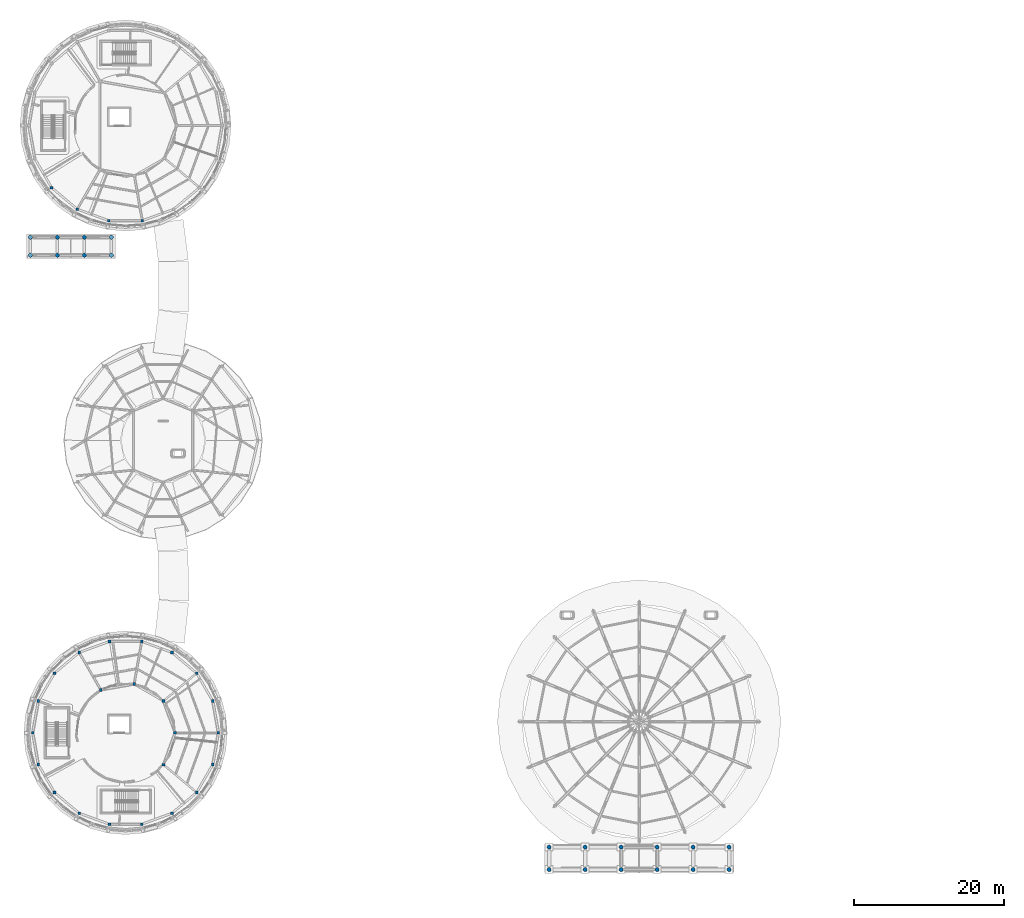
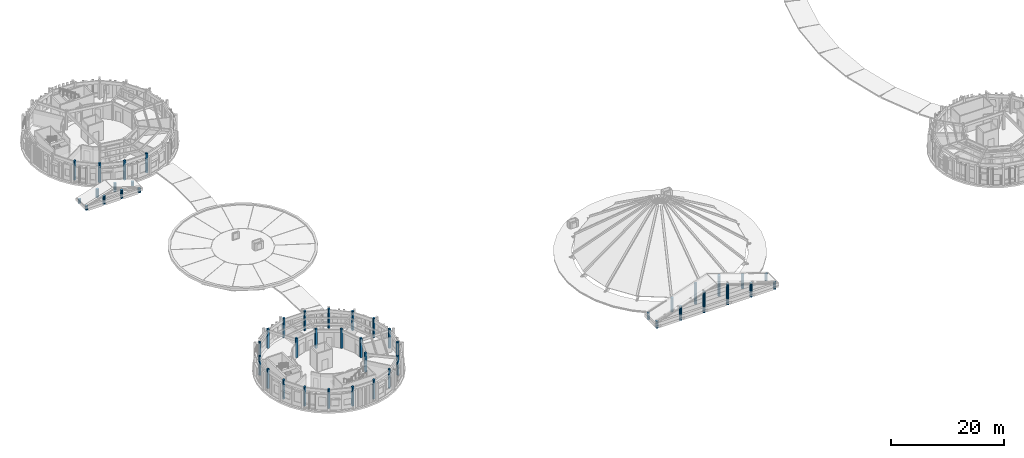
# One storey, part 1 of 58: 47 columns.
"""IFC4 building model written with IfcOpenShell, lengths in metres."""

from ifc_helpers import new_model, si_unit, direction, frame, origin, origin_2d, place, context, subcontext, project, spatial, rectangle, circle, extrude, material, material_profile, profile_set, type_object, element, save


model = new_model("IFC4")

# Units and contexts
model_context = context("Model", 3, precision=1e-05, world=origin(), true_north=direction((0.0, 1.0)))
body_context = subcontext(model_context, "Body", "Model", "MODEL_VIEW")
ifc_project = project(units=[si_unit("LENGTHUNIT", "METRE"), si_unit("AREAUNIT", "SQUARE_METRE"), si_unit("VOLUMEUNIT", "CUBIC_METRE"), si_unit("PLANEANGLEUNIT", "RADIAN"), si_unit("MASSUNIT", "GRAM", prefix="KILO")], contexts=[model_context])

# Site, building, storey
site_placement = place(None, origin())
site = spatial("IfcSite", under=ifc_project, at=site_placement, CompositionType="ELEMENT")
building_placement = place(site_placement, origin())
building = spatial("IfcBuilding", under=site, at=building_placement, Name="Aldenvaro Health Centre", CompositionType="ELEMENT")
storey_placement = place(building_placement, frame((0.0, 0.0, 8.75)))
storey = spatial("IfcBuildingStorey", under=building, at=storey_placement, Name="L02", CompositionType="ELEMENT", Elevation=8.75)

# Columns
ifc_material_1 = material(Name="Glulam GL28h", Category="wood")
ifc_material_profile_1 = material_profile(ifc_material_1, rectangle(XDim=0.364990234375, YDim=0.364990234375, at=origin_2d()), Name="GL 365x365", Category="wood")
ifc_profile_set_1 = profile_set([ifc_material_profile_1], Name="Glulam GL28h")
column_type_1 = type_object("IfcColumnType", Name="COL-GL-365", PredefinedType="COLUMN", material=ifc_profile_set_1)
for number, where, z_axis, x_axis, name in (
    (1, (25.10009765625, 18.5, 0.0), (0.0, 0.0, 1.0), (1.0, 0.0, 0.0), "D5 L02 column IN-01"),
    (2, (23.555908203125, 22.741943359375, 0.0), (0.0, 0.0, 1.0), (1.0, 0.0, 0.0), "D5 L02 column IN-02"),
    (3, (19.64599609375, 25.0, 0.0), (0.0, 0.0, 1.0), (1.0, 0.0, 0.0), "D5 L02 column IN-03"),
    (4, (15.199951171875, 24.216064453125, 0.0), (0.0, 0.0, 1.0), (1.0, 0.0, 0.0), "D5 L02 column IN-04"),
    (5, (23.555908203125, 14.258056640625, 0.0), (0.0, 0.0, 1.0), (1.0, 0.0, 0.0), "D5 L02 column IN-05"),
):
    element("IfcColumn", number, at=place(storey_placement, frame(where, z_axis=z_axis, x_axis=x_axis)), inside=storey, type_object=column_type_1, Name=name, PredefinedType="COLUMN", context=body_context, shape_type="SweptSolid", body=[
        extrude(rectangle(XDim=0.364990234375, YDim=0.364990234375, at=origin_2d()), origin(), (0.0, 0.0, 1.0), 4.199951171875),
    ])
ifc_material_profile_2 = material_profile(ifc_material_1, rectangle(XDim=0.364990234375, YDim=0.364990234375, at=origin_2d()), Name="GL 365x365", Category="wood")
ifc_profile_set_2 = profile_set([ifc_material_profile_2], Name="Glulam GL28h")
column_type_2 = type_object("IfcColumnType", Name="COL-GL-365E", PredefinedType="COLUMN", material=ifc_profile_set_2)
for number, where, z_axis, x_axis, name in (
    (6, (8.633056640625, 91.220947265625, 0.0), (0.0, 0.0, 1.0), (1.0, 0.0, 0.0), "D4 L02 column OUT-12"),
    (7, (12.06005859375, 88.345947265625, 0.0), (0.0, 0.0, 1.0), (1.0, 0.0, 0.0), "D4 L02 column OUT-13"),
    (8, (16.262939453125, 86.81591796875, 0.0), (0.0, 0.0, 1.0), (1.0, 0.0, 0.0), "D4 L02 column OUT-14"),
    (9, (20.737060546875, 86.81591796875, 0.0), (0.0, 0.0, 1.0), (1.0, 0.0, 0.0), "D4 L02 column OUT-15"),
    (10, (30.8798828125, 18.5, 0.0), (0.0, 0.0, 1.0), (1.0, 0.0, 0.0), "D5 L02 column OUT-01"),
    (11, (30.133056640625, 22.73388671875, 0.0), (0.0, 0.0, 1.0), (1.0, 0.0, 0.0), "D5 L02 column OUT-02"),
    (12, (27.98388671875, 26.4580078125, 0.0), (0.0, 0.0, 1.0), (1.0, 0.0, 0.0), "D5 L02 column OUT-03"),
    (13, (24.68994140625, 29.220947265625, 0.0), (0.0, 0.0, 1.0), (1.0, 0.0, 0.0), "D5 L02 column OUT-04"),
    (14, (20.64990234375, 30.69189453125, 0.0), (0.0, 0.0, 1.0), (1.0, 0.0, 0.0), "D5 L02 column OUT-05"),
    (15, (16.35009765625, 30.69189453125, 0.0), (0.0, 0.0, 1.0), (1.0, 0.0, 0.0), "D5 L02 column OUT-06"),
    (16, (12.31005859375, 29.220947265625, 0.0), (0.0, 0.0, 1.0), (1.0, 0.0, 0.0), "D5 L02 column OUT-07"),
    (17, (9.01611328125, 26.4580078125, 0.0), (0.0, 0.0, 1.0), (1.0, 0.0, 0.0), "D5 L02 column OUT-08"),
    (18, (6.866943359375, 22.73388671875, 0.0), (0.0, 0.0, 1.0), (1.0, 0.0, 0.0), "D5 L02 column OUT-09"),
    (19, (6.1201171875, 18.5, 0.0), (0.0, 0.0, 1.0), (1.0, 0.0, 0.0), "D5 L02 column OUT-10"),
    (20, (6.866943359375, 14.26611328125, 0.0), (0.0, 0.0, 1.0), (1.0, 0.0, 0.0), "D5 L02 column OUT-11"),
    (21, (9.01611328125, 10.5419921875, 0.0), (0.0, 0.0, 1.0), (1.0, 0.0, 0.0), "D5 L02 column OUT-12"),
    (22, (12.31005859375, 7.779052734375, 0.0), (0.0, 0.0, 1.0), (1.0, 0.0, 0.0), "D5 L02 column OUT-13"),
    (23, (16.35009765625, 6.30810546875, 0.0), (0.0, 0.0, 1.0), (1.0, 0.0, 0.0), "D5 L02 column OUT-14"),
    (24, (20.64990234375, 6.30810546875, 0.0), (0.0, 0.0, 1.0), (1.0, 0.0, 0.0), "D5 L02 column OUT-15"),
    (25, (24.68994140625, 7.779052734375, 0.0), (0.0, 0.0, 1.0), (1.0, 0.0, 0.0), "D5 L02 column OUT-16"),
    (26, (27.98388671875, 10.5419921875, 0.0), (0.0, 0.0, 1.0), (1.0, 0.0, 0.0), "D5 L02 column OUT-17"),
    (27, (30.133056640625, 14.26611328125, 0.0), (0.0, 0.0, 1.0), (1.0, 0.0, 0.0), "D5 L02 column OUT-18"),
):
    element("IfcColumn", number, at=place(storey_placement, frame(where, z_axis=z_axis, x_axis=x_axis)), inside=storey, type_object=column_type_2, Name=name, PredefinedType="COLUMN", context=body_context, shape_type="SweptSolid", body=[
        extrude(rectangle(XDim=0.364990234375, YDim=0.364990234375, at=origin_2d()), origin(), (0.0, 0.0, 1.0), 4.199951171875),
    ])
ifc_material_2 = material(Name="Concrete f'c 40 MPa", Category="concrete")
ifc_material_profile_3 = material_profile(ifc_material_2, circle(Radius=0.27490234375, at=origin_2d()), Name="RC D550", Category="concrete")
ifc_profile_set_3 = profile_set([ifc_material_profile_3], Name="Concrete f'c 40 MPa")
column_type_3 = type_object("IfcColumnType", Name="COL-RC-D550", PredefinedType="PILASTER", material=ifc_profile_set_3)
for number, where, z_axis, x_axis, name in (
    (28, (75.0, 0.25, 0.0), (0.0, 0.0, 1.0), (1.0, 0.0, 0.0), "Portico Tympanum Support Post 1.1"),
    (29, (75.0, 3.25, 0.0), (0.0, 0.0, 1.0), (1.0, 0.0, 0.0), "Portico Tympanum Support Post 1.2"),
):
    element("IfcColumn", number, at=place(storey_placement, frame(where, z_axis=z_axis, x_axis=x_axis)), inside=storey, type_object=column_type_3, Name=name, PredefinedType="PILASTER", context=body_context, shape_type="SweptSolid", body=[
        extrude(circle(Radius=0.27490234375, at=origin_2d()), origin(), (0.0, 0.0, 1.0), 1.5),
    ])
for number, where, z_axis, x_axis, name in (
    (30, (79.800048828125, 0.25, 0.0), (0.0, 0.0, 1.0), (1.0, 0.0, 0.0), "Portico Tympanum Support Post 2.1"),
    (31, (79.800048828125, 3.25, 0.0), (0.0, 0.0, 1.0), (1.0, 0.0, 0.0), "Portico Tympanum Support Post 2.2"),
):
    element("IfcColumn", number, at=place(storey_placement, frame(where, z_axis=z_axis, x_axis=x_axis)), inside=storey, type_object=column_type_3, Name=name, PredefinedType="PILASTER", context=body_context, shape_type="SweptSolid", body=[
        extrude(circle(Radius=0.27490234375, at=origin_2d()), origin(), (0.0, 0.0, 1.0), 3.0),
    ])
for number, where, z_axis, x_axis, name in (
    (32, (84.60009765625, 0.25, 0.0), (0.0, 0.0, 1.0), (1.0, 0.0, 0.0), "Portico Tympanum Support Post 3.1"),
    (33, (84.60009765625, 3.25, 0.0), (0.0, 0.0, 1.0), (1.0, 0.0, 0.0), "Portico Tympanum Support Post 3.2"),
    (34, (89.39990234375, 0.25, 0.0), (0.0, 0.0, 1.0), (1.0, 0.0, 0.0), "Portico Tympanum Support Post 4.1"),
    (35, (89.39990234375, 3.25, 0.0), (0.0, 0.0, 1.0), (1.0, 0.0, 0.0), "Portico Tympanum Support Post 4.2"),
):
    element("IfcColumn", number, at=place(storey_placement, frame(where, z_axis=z_axis, x_axis=x_axis)), inside=storey, type_object=column_type_3, Name=name, PredefinedType="PILASTER", context=body_context, shape_type="SweptSolid", body=[
        extrude(circle(Radius=0.27490234375, at=origin_2d()), origin(), (0.0, 0.0, 1.0), 4.5),
    ])
for number, where, z_axis, x_axis, name in (
    (36, (94.199951171875, 0.25, 0.0), (0.0, 0.0, 1.0), (1.0, 0.0, 0.0), "Portico Tympanum Support Post 5.1"),
    (37, (94.199951171875, 3.25, 0.0), (0.0, 0.0, 1.0), (1.0, 0.0, 0.0), "Portico Tympanum Support Post 5.2"),
):
    element("IfcColumn", number, at=place(storey_placement, frame(where, z_axis=z_axis, x_axis=x_axis)), inside=storey, type_object=column_type_3, Name=name, PredefinedType="PILASTER", context=body_context, shape_type="SweptSolid", body=[
        extrude(circle(Radius=0.27490234375, at=origin_2d()), origin(), (0.0, 0.0, 1.0), 3.0),
    ])
for number, where, z_axis, x_axis, name in (
    (38, (99.0, 0.25, 0.0), (0.0, 0.0, 1.0), (1.0, 0.0, 0.0), "Portico Tympanum Support Post 6.1"),
    (39, (99.0, 3.25, 0.0), (0.0, 0.0, 1.0), (1.0, 0.0, 0.0), "Portico Tympanum Support Post 6.2"),
):
    element("IfcColumn", number, at=place(storey_placement, frame(where, z_axis=z_axis, x_axis=x_axis)), inside=storey, type_object=column_type_3, Name=name, PredefinedType="PILASTER", context=body_context, shape_type="SweptSolid", body=[
        extrude(circle(Radius=0.27490234375, at=origin_2d()), origin(), (0.0, 0.0, 1.0), 1.5),
    ])
for number, where, z_axis, x_axis, name in (
    (40, (5.800048828125, 82.199951171875, 0.0), (0.0, 0.0, 1.0), (1.0, 0.0, 0.0), "Bastion Tetrastyle Portico N4 Gable Column 1.1"),
    (41, (5.800048828125, 84.60009765625, 0.0), (0.0, 0.0, 1.0), (1.0, 0.0, 0.0), "Bastion Tetrastyle Portico N4 Gable Column 1.2"),
):
    element("IfcColumn", number, at=place(storey_placement, frame(where, z_axis=z_axis, x_axis=x_axis)), inside=storey, type_object=column_type_3, Name=name, PredefinedType="PILASTER", context=body_context, shape_type="SweptSolid", body=[
        extrude(circle(Radius=0.27490234375, at=origin_2d()), origin(), (0.0, 0.0, 1.0), 0.889892578125),
    ])
for number, where, z_axis, x_axis, name in (
    (42, (9.39990234375, 82.199951171875, 0.0), (0.0, 0.0, 1.0), (1.0, 0.0, 0.0), "Bastion Tetrastyle Portico N4 Gable Column 2.1"),
    (43, (9.39990234375, 84.60009765625, 0.0), (0.0, 0.0, 1.0), (1.0, 0.0, 0.0), "Bastion Tetrastyle Portico N4 Gable Column 2.2"),
    (44, (13.0, 82.199951171875, 0.0), (0.0, 0.0, 1.0), (1.0, 0.0, 0.0), "Bastion Tetrastyle Portico N4 Gable Column 3.1"),
    (45, (13.0, 84.60009765625, 0.0), (0.0, 0.0, 1.0), (1.0, 0.0, 0.0), "Bastion Tetrastyle Portico N4 Gable Column 3.2"),
):
    element("IfcColumn", number, at=place(storey_placement, frame(where, z_axis=z_axis, x_axis=x_axis)), inside=storey, type_object=column_type_3, Name=name, PredefinedType="PILASTER", context=body_context, shape_type="SweptSolid", body=[
        extrude(circle(Radius=0.27490234375, at=origin_2d()), origin(), (0.0, 0.0, 1.0), 1.81005859375),
    ])
for number, where, z_axis, x_axis, name in (
    (46, (16.60009765625, 82.199951171875, 0.0), (0.0, 0.0, 1.0), (1.0, 0.0, 0.0), "Bastion Tetrastyle Portico N4 Gable Column 4.1"),
    (47, (16.60009765625, 84.60009765625, 0.0), (0.0, 0.0, 1.0), (1.0, 0.0, 0.0), "Bastion Tetrastyle Portico N4 Gable Column 4.2"),
):
    element("IfcColumn", number, at=place(storey_placement, frame(where, z_axis=z_axis, x_axis=x_axis)), inside=storey, type_object=column_type_3, Name=name, PredefinedType="PILASTER", context=body_context, shape_type="SweptSolid", body=[
        extrude(circle(Radius=0.27490234375, at=origin_2d()), origin(), (0.0, 0.0, 1.0), 0.889892578125),
    ])

save(model, "model.ifc")
